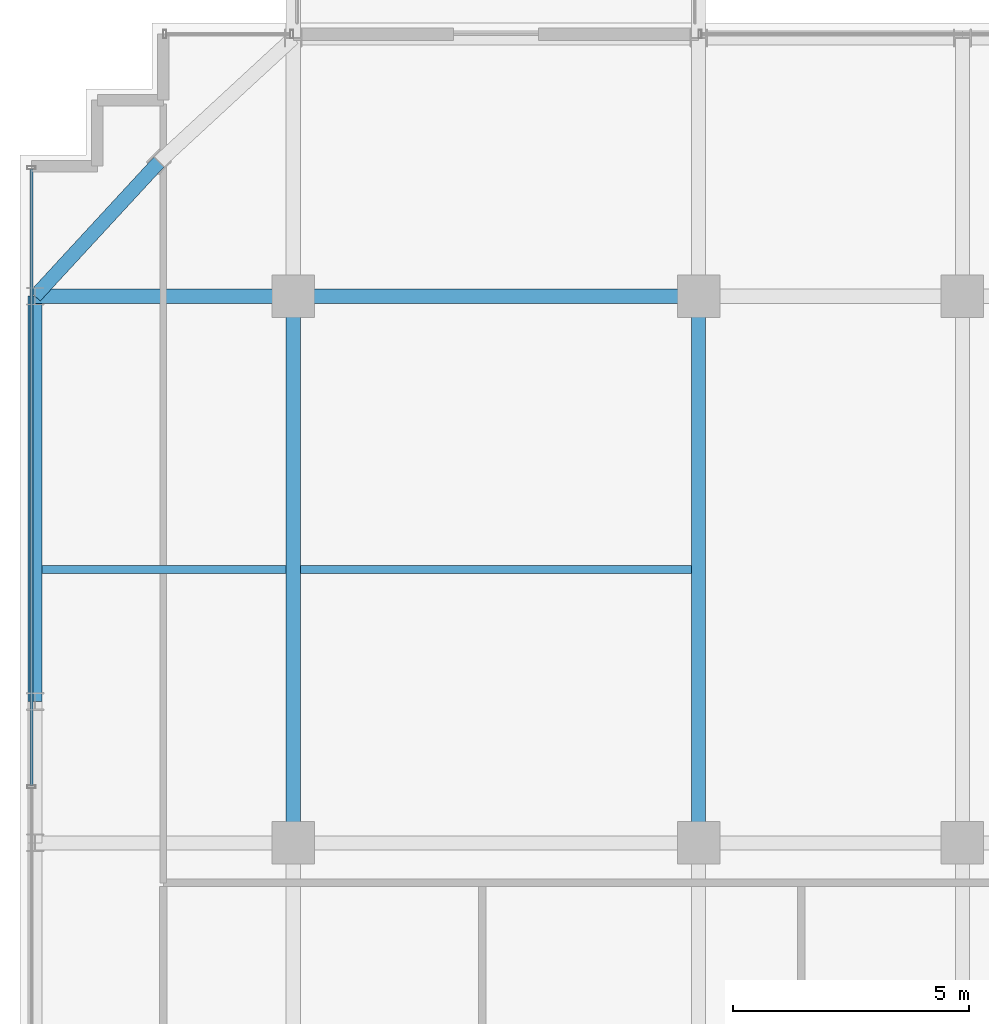
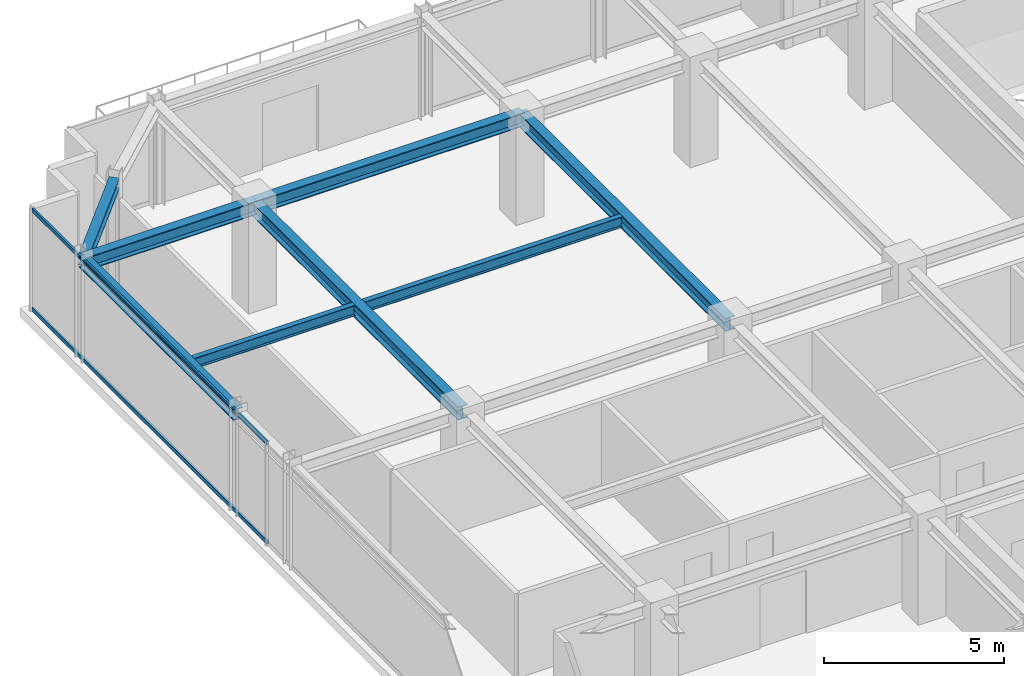
# One storey, part 16 of 31: 8 beams, 2 members, 1 element without a shape of its own.
"""IFC4 building model written with IfcOpenShell, lengths in metres."""

from ifc_helpers import new_model, si_unit, direction, frame, origin, origin_2d, place, context, subcontext, project, spatial, hollow_rectangle, i_section, extrude, source, transform, mapped, material, material_profile, profile_set, type_object, element, aggregate, save


model = new_model("IFC4")

# Units and contexts
model_context = context("Model", 3, precision=1e-05, world=origin(), true_north=direction((0.0, 1.0)))
body_context = subcontext(model_context, "Body", "Model", "MODEL_VIEW")
ifc_project = project(units=[si_unit("LENGTHUNIT", "METRE"), si_unit("AREAUNIT", "SQUARE_METRE"), si_unit("VOLUMEUNIT", "CUBIC_METRE"), si_unit("PLANEANGLEUNIT", "RADIAN"), si_unit("MASSUNIT", "GRAM", prefix="KILO")], contexts=[model_context])

# Site, building, storey
site_placement = place(None, origin())
site = spatial("IfcSite", under=ifc_project, at=site_placement, CompositionType="ELEMENT")
building_placement = place(site_placement, origin())
building = spatial("IfcBuilding", under=site, at=building_placement, Name="Nahalor Promenade Grand Hotel", CompositionType="ELEMENT")
storey_placement = place(building_placement, frame((0.0, 0.0, 327.14990234375)))
storey = spatial("IfcBuildingStorey", under=building, at=storey_placement, Name="L84", CompositionType="ELEMENT", Elevation=327.14990234375)

# Beams
ifc_material_1 = material(Name="Steel S355JR", Category="steel")
ifc_material_profile_1 = material_profile(ifc_material_1, i_section(OverallWidth=0.3, OverallDepth=0.45, WebThickness=0.014, FlangeThickness=0.026, at=origin_2d()), Name="HEB 450")
ifc_profile_set_1 = profile_set([ifc_material_profile_1], Name="Steel S355JR")
beam_type_1 = type_object("IfcBeamType", Name="Beam-Girder-HEB450", PredefinedType="BEAM", material=ifc_profile_set_1)
shared_shape_1 = source(origin(), body_context, "Body", "SweptSolid", [
    extrude(i_section(OverallWidth=0.3, OverallDepth=0.45, WebThickness=0.014, FlangeThickness=0.026, at=origin_2d()), origin(), (0.0, 0.0, 1.0), 8.60009765625),
])
beam_1_placement = place(storey_placement, frame((-17.0, 17.0, 3.275146484375), z_axis=(1.0, 0.0, 0.0), x_axis=(0.0, 1.0, 0.0)))
element("IfcBeam", 1, at=beam_1_placement, inside=storey, type_object=beam_type_1, Name="BM-L84-GX-3-1", PredefinedType="BEAM", context=body_context, shape_type="MappedRepresentation", body=[
    mapped(shared_shape_1, transform((0.0, 0.0, 0.0), scale=1.0)),
])
shared_shape_2 = source(origin(), body_context, "Body", "SweptSolid", [
    extrude(i_section(OverallWidth=0.3, OverallDepth=0.45, WebThickness=0.014, FlangeThickness=0.026, at=origin_2d()), origin(), (0.0, 0.0, 1.0), 11.60009765625),
])
for number, where, z_axis, x_axis, name in (
    (2, (-17.0, 5.39990234375, 3.275146484375), (0.0, 1.0, 0.0), (-1.0, 0.0, 0.0), "BM-L84-GY-0-3"),
    (3, (-8.39990234375, 5.39990234375, 3.275146484375), (0.0, 1.0, 0.0), (-1.0, 0.0, 0.0), "BM-L84-GY-1-3"),
):
    element("IfcBeam", number, at=place(storey_placement, frame(where, z_axis=z_axis, x_axis=x_axis)), inside=storey, type_object=beam_type_1, Name=name, PredefinedType="BEAM", context=body_context, shape_type="MappedRepresentation", body=[
        mapped(shared_shape_2, transform((0.0, 0.0, 0.0), scale=1.0)),
    ])
shared_shape_3 = source(origin(), body_context, "Body", "SweptSolid", [
    extrude(i_section(OverallWidth=0.3, OverallDepth=0.45, WebThickness=0.014, FlangeThickness=0.026, at=origin_2d()), origin(), (0.0, 0.0, 1.0), 5.47998046875),
])
beam_2_placement = place(storey_placement, frame((-22.47998046875, 17.0, 3.275146484375), z_axis=(1.0, 0.0, 0.0), x_axis=(0.0, 1.0, 0.0)))
element("IfcBeam", 4, at=beam_2_placement, inside=storey, type_object=beam_type_1, Name="BM-L84-GX-3-0", PredefinedType="BEAM", context=body_context, shape_type="MappedRepresentation", body=[
    mapped(shared_shape_3, transform((0.0, 0.0, 0.0), scale=1.0)),
])
ifc_material_profile_2 = material_profile(ifc_material_1, i_section(OverallWidth=0.3, OverallDepth=0.36, WebThickness=0.0125, FlangeThickness=0.0225, at=origin_2d()), Name="HEB 360")
ifc_profile_set_2 = profile_set([ifc_material_profile_2], Name="Steel S355JR")
beam_type_2 = type_object("IfcBeamType", Name="Beam-Spandrel-HEB360", PredefinedType="SPANDREL", material=ifc_profile_set_2)
shared_shape_4 = source(origin(), body_context, "Body", "SweptSolid", [
    extrude(i_section(OverallWidth=0.3, OverallDepth=0.36, WebThickness=0.0125, FlangeThickness=0.0225, at=origin_2d()), origin(), (0.0, 0.0, 1.0), 8.60009765625),
])
beam_3_placement = place(storey_placement, frame((-22.47998046875, 8.39990234375, 3.320068359375), z_axis=(0.0, 1.0, 0.0), x_axis=(-1.0, 0.0, 0.0)))
element("IfcBeam", 5, at=beam_3_placement, inside=storey, type_object=beam_type_2, Name="BM-L84-SP-W-4", PredefinedType="SPANDREL", context=body_context, shape_type="MappedRepresentation", body=[
    mapped(shared_shape_4, transform((0.0, 0.0, 0.0), scale=1.0)),
])
shared_shape_5 = source(origin(), body_context, "Body", "SweptSolid", [
    extrude(i_section(OverallWidth=0.3, OverallDepth=0.36, WebThickness=0.0125, FlangeThickness=0.0225, at=origin_2d()), origin(), (0.0, 0.0, 1.0), 3.878173828125),
])
beam_4_placement = place(storey_placement, frame((-19.85009765625, 19.85009765625, 3.320068359375), z_axis=(-0.678144125843, -0.73492893846, 0.0), x_axis=(0.73492893846, -0.678144125843, 0.0)))
element("IfcBeam", 6, at=beam_4_placement, inside=storey, type_object=beam_type_2, Name="BM-L84-SPC-NW-2", PredefinedType="SPANDREL", context=body_context, shape_type="MappedRepresentation", body=[
    mapped(shared_shape_5, transform((0.0, 0.0, 0.0), scale=1.0)),
])
ifc_material_profile_3 = material_profile(ifc_material_1, i_section(OverallWidth=0.17, OverallDepth=0.36, WebThickness=0.008, FlangeThickness=0.0127, at=origin_2d()), Name="IPE 360")
ifc_profile_set_3 = profile_set([ifc_material_profile_3], Name="Steel S355JR")
beam_type_3 = type_object("IfcBeamType", Name="Beam-Joist-IPE360", PredefinedType="JOIST", material=ifc_profile_set_3)
shared_shape_6 = source(origin(), body_context, "Body", "SweptSolid", [
    extrude(i_section(OverallWidth=0.17, OverallDepth=0.36, WebThickness=0.008, FlangeThickness=0.0127, at=origin_2d()), origin(), (0.0, 0.0, 1.0), 5.18017578125),
])
beam_5_placement = place(storey_placement, frame((-22.330078125, 11.199951171875, 3.320068359375), z_axis=(1.0, 0.0, 0.0), x_axis=(0.0, 1.0, 0.0)))
element("IfcBeam", 7, at=beam_5_placement, inside=storey, type_object=beam_type_3, Name="BM-L84-JSW-1-0", PredefinedType="JOIST", context=body_context, shape_type="MappedRepresentation", body=[
    mapped(shared_shape_6, transform((0.0, 0.0, 0.0), scale=1.0)),
])
shared_shape_7 = source(origin(), body_context, "Body", "SweptSolid", [
    extrude(i_section(OverallWidth=0.17, OverallDepth=0.36, WebThickness=0.008, FlangeThickness=0.0127, at=origin_2d()), origin(), (0.0, 0.0, 1.0), 8.300048828125),
])
beam_6_placement = place(storey_placement, frame((-16.85009765625, 11.199951171875, 3.320068359375), z_axis=(1.0, 0.0, 0.0), x_axis=(0.0, 1.0, 0.0)))
element("IfcBeam", 8, at=beam_6_placement, inside=storey, type_object=beam_type_3, Name="BM-L84-JSW-1-1", PredefinedType="JOIST", context=body_context, shape_type="MappedRepresentation", body=[
    mapped(shared_shape_7, transform((0.0, 0.0, 0.0), scale=1.0)),
])

# Curtain wall, members
ifc_material_2 = material(Name="Anodised Bronze Aluminium EN AW-6063 T6", Category="aluminium")
curtain_wall_type = type_object("IfcCurtainWallType", Name="CW2 Typical Hotel Flush Bronze Unitised Curtain Wall", PredefinedType="USERDEFINED", material=ifc_material_2)
curtain_wall_placement = place(storey_placement, origin())
curtain_wall = element("IfcCurtainWall", 9, at=curtain_wall_placement, inside=storey, type_object=curtain_wall_type, Name="L84 Curtain Wall CW-L84-W-1", ObjectType="UNITISED_CURTAIN_WALL", PredefinedType="USERDEFINED")
ifc_material_profile_4 = material_profile(ifc_material_2, hollow_rectangle(XDim=0.065, YDim=0.13, WallThickness=0.004, at=origin_2d()), Name="CWT 65x130x4")
ifc_profile_set_4 = profile_set([ifc_material_profile_4], Name="Anodised Bronze Aluminium EN AW-6063 T6")
member_type = type_object("IfcMemberType", Name="CWT2 Typical Bronze Transom 65x130", PredefinedType="USERDEFINED", material=ifc_profile_set_4)
shared_shape_8 = source(origin(), body_context, "Body", "SweptSolid", [
    extrude(hollow_rectangle(XDim=0.065, YDim=0.13, WallThickness=0.004, at=origin_2d()), origin(), (0.0, 0.0, 1.0), 13.075927734375),
])
member_1_placement = place(storey_placement, frame((-22.56005859375, 6.619140625, 0.065185546875), z_axis=(0.0, 1.0, 0.0), x_axis=(-1.0, 0.0, 0.0)))
member_1 = element("IfcMember", 10, at=member_1_placement, type_object=member_type, Name="CW-L84-W-1 Transom 2-0", ObjectType="TRANSOM", PredefinedType="USERDEFINED", context=body_context, shape_type="MappedRepresentation", body=[
    mapped(shared_shape_8, transform((0.0, 0.0, 0.0), scale=1.0)),
])
member_2_placement = place(storey_placement, frame((-22.56005859375, 6.619140625, 3.43505859375), z_axis=(0.0, 1.0, 0.0), x_axis=(-1.0, 0.0, 0.0)))
member_2 = element("IfcMember", 11, at=member_2_placement, type_object=member_type, Name="CW-L84-W-1 Transom 2-1", ObjectType="TRANSOM", PredefinedType="USERDEFINED", context=body_context, shape_type="MappedRepresentation", body=[
    mapped(shared_shape_8, transform((0.0, 0.0, 0.0), scale=1.0)),
])
aggregate(curtain_wall, [member_1, member_2])

save(model, "model.ifc")
